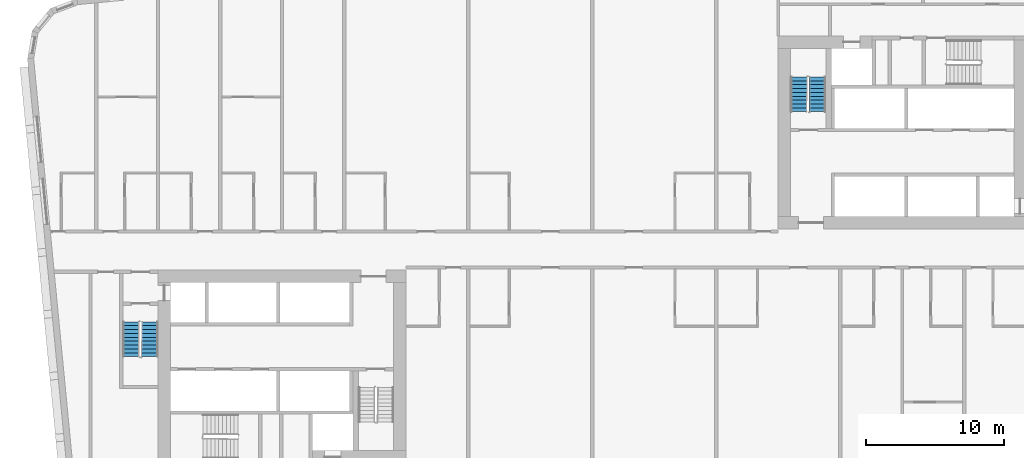
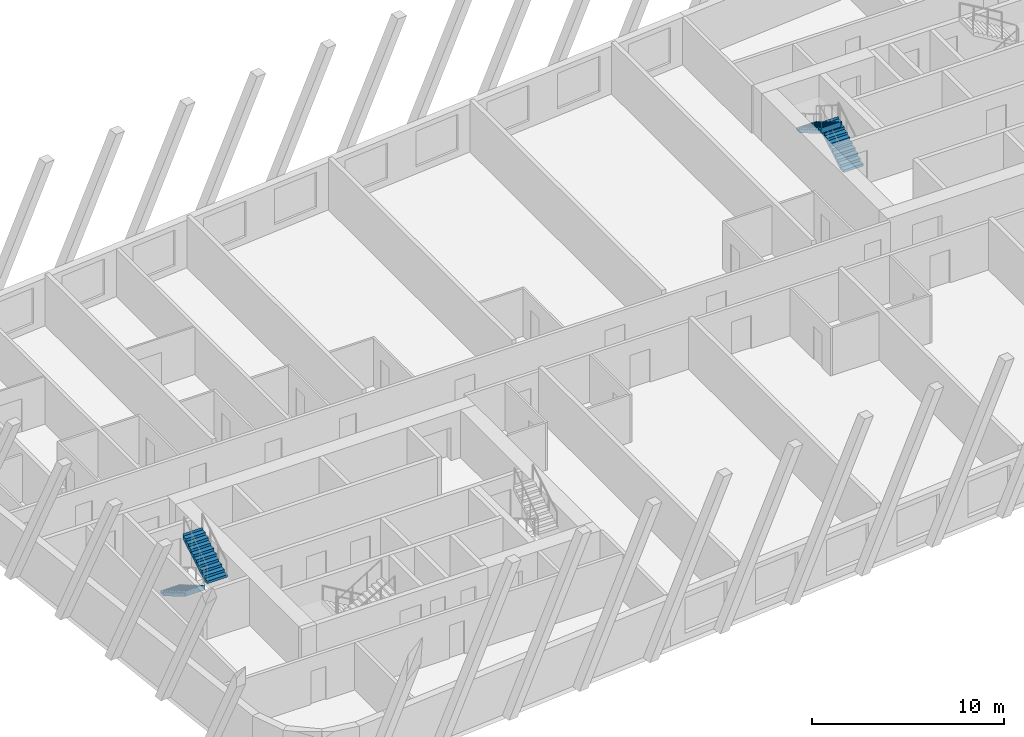
# One storey, part 10 of 13: 4 stair flights, 2 elements without a shape of their own.
"""IFC4 building model written with IfcOpenShell, lengths in metres."""

import ifcopenshell
import ifcopenshell.guid

model = None  # the IFC model being written
_history = None  # IfcOwnerHistory: only IFC2X3 demands one
_inside = {}  # id of a spatial element -> (the spatial element, [elements in it])
_under = {}  # id of a project, library or spatial element -> (it, [spatial elements below it])
_declared = {}  # id of a project -> (the project, [libraries it declares])
_typed = {}  # id of a type object -> (the type object, [elements of that type])
_made_of = {}  # id of a material, layer set ... -> (it, [elements and type objects made of it])


def new_model(schema):
    """Start an empty IFC model of exactly this schema.

    Asked for "IFC4X3", IfcOpenShell would pick the latest addendum, in which some entities
    have other attributes; the version numbers below select the first issue.
    IFC2X3 requires an IfcOwnerHistory on every rooted entity: one is made here for all.
    """
    global model, _history
    if schema == "IFC4X3":
        model = ifcopenshell.file(schema_version=(4, 3, 0, 0))
    else:
        model = ifcopenshell.file(schema=schema)
    _inside.clear()
    _under.clear()
    _declared.clear()
    _typed.clear()
    _made_of.clear()
    _history = None
    if model.schema == "IFC2X3":
        org = make("IfcOrganization", Name="unknown")
        user = make(
            "IfcPersonAndOrganization",
            ThePerson=make("IfcPerson", FamilyName="unknown"),
            TheOrganization=org,
        )
        app = make(
            "IfcApplication",
            ApplicationDeveloper=org,
            Version="unknown",
            ApplicationFullName="unknown",
            ApplicationIdentifier="unknown",
        )
        _history = make(
            "IfcOwnerHistory",
            OwningUser=user,
            OwningApplication=app,
            ChangeAction="ADDED",
            CreationDate=0,
        )
    return model


def make(cls, **values):
    """One entity of the class cls with the attributes given. An attribute that is None is left unset."""
    return model.create_entity(
        cls, **{name: value for name, value in values.items() if value is not None}
    )


def rooted(cls, **values):
    """An entity with a GlobalId (a new one), such as an element, a storey or a relation."""
    return make(cls, GlobalId=ifcopenshell.guid.new(), OwnerHistory=_history, **values)


def si_unit(unit_type, name, prefix=None):
    """IfcSIUnit, for example si_unit("LENGTHUNIT", "METRE", prefix="MILLI")."""
    return make("IfcSIUnit", UnitType=unit_type, Prefix=prefix, Name=name)


def assignment(units):
    """IfcUnitAssignment: the units of a project."""
    return None if units is None else make("IfcUnitAssignment", Units=units)


def point(xyz):
    """IfcCartesianPoint."""
    return None if xyz is None else make("IfcCartesianPoint", Coordinates=xyz)


def direction(xyz):
    """IfcDirection."""
    return None if xyz is None else make("IfcDirection", DirectionRatios=xyz)


def frame(location, z_axis=None, x_axis=None):
    """IfcAxis2Placement3D, a coordinate frame: its origin and axes. An axis left out is left unset."""
    return make(
        "IfcAxis2Placement3D",
        Location=point(location),
        Axis=direction(z_axis),
        RefDirection=direction(x_axis),
    )


def origin():
    """The frame at (0, 0, 0) with its axes left unset."""
    return frame((0.0, 0.0, 0.0))


def place(relative_to, where):
    """IfcLocalPlacement: puts the frame where relative to a parent placement (None: the world)."""
    return make(
        "IfcLocalPlacement", PlacementRelTo=relative_to, RelativePlacement=where
    )


def context(
    kind, dimensions, precision=None, world=None, true_north=None, identifier=None
):
    """IfcGeometricRepresentationContext, for example the 3D "Model" context."""
    return make(
        "IfcGeometricRepresentationContext",
        ContextIdentifier=identifier,
        ContextType=kind,
        CoordinateSpaceDimension=dimensions,
        Precision=precision,
        WorldCoordinateSystem=world,
        TrueNorth=true_north,
    )


def subcontext(parent, identifier, kind, view, scale=None):
    """IfcGeometricRepresentationSubContext, for example "Body" below "Model"."""
    return make(
        "IfcGeometricRepresentationSubContext",
        ContextIdentifier=identifier,
        ContextType=kind,
        ParentContext=parent,
        TargetScale=scale,
        TargetView=view,
    )


def project(units=None, contexts=None):
    """IfcProject with its units and contexts."""
    return rooted(
        "IfcProject",
        Name="project",
        RepresentationContexts=contexts,
        UnitsInContext=assignment(units),
    )


def spatial(cls, under=None, at=None, **own):
    """A site, building, storey or space (cls), placed at a placement, below another one or the project."""
    s = rooted(cls, ObjectPlacement=at, **own)
    if under is not None:
        _under.setdefault(under.id(), (under, []))[1].append(s)
    return s


def faces_of(points, faces, orient=None, outer=None):
    """IfcFace entities. A face is a list of loops; a loop is a list of indices into points, from 0.

    orient and outer hold one flag for each loop. By default every Orientation is true, the
    first loop of a face is its IfcFaceOuterBound and the others are IfcFaceBound.
    """
    made = []
    for i, loops in enumerate(faces):
        bounds = []
        for j, loop in enumerate(loops):
            is_outer = j == 0 if outer is None else outer[i][j]
            bounds.append(
                make(
                    "IfcFaceOuterBound" if is_outer else "IfcFaceBound",
                    Bound=make("IfcPolyLoop", Polygon=[points[k] for k in loop]),
                    Orientation=True if orient is None else orient[i][j],
                )
            )
        made.append(make("IfcFace", Bounds=bounds))
    return made


def faceted_brep(points, faces, orient=None, outer=None, voids=None):
    """IfcFacetedBrep: a solid bounded by flat faces; with voids (closed shells), ...WithVoids."""
    shared = [point(p) for p in points]
    hull = make("IfcClosedShell", CfsFaces=faces_of(shared, faces, orient, outer))
    if voids is None:
        return make("IfcFacetedBrep", Outer=hull)
    return make(
        "IfcFacetedBrepWithVoids",
        Outer=hull,
        Voids=[
            make(cls, CfsFaces=faces_of(shared, fs, o, b)) for cls, fs, o, b in voids
        ],
    )


def shape(context_of_items, identifier, shape_type, items):
    """IfcShapeRepresentation: the items that make up one representation, for example the "Body"."""
    return make(
        "IfcShapeRepresentation",
        ContextOfItems=context_of_items,
        RepresentationIdentifier=identifier,
        RepresentationType=shape_type,
        Items=items,
    )


def material(Name=None, Category=None):
    """IfcMaterial."""
    return make("IfcMaterial", Name=Name, Category=Category)


def made_of(thing, what):
    """Note that an element or type object is made of a material, layer set ...; save() writes the relation."""
    if what is not None:
        _made_of.setdefault(what.id(), (what, []))[1].append(thing)
    return thing


def type_object(cls, material=None, **own):
    """A type object (cls), such as IfcWallType, which elements share."""
    return made_of(rooted(cls, **own), material)


def element(
    cls,
    number,
    at=None,
    inside=None,
    cuts=None,
    type_object=None,
    material=None,
    context=None,
    identifier="Body",
    shape_type=None,
    held_by="IfcProductDefinitionShape",
    body=None,
    shapes=None,
    **own,
):
    """One element of the class cls, such as IfcWall. Its Tag is "e" and its number.

    at: its placement. inside: the storey or other place that contains it. cuts: it is an
    opening in that element (IfcRelVoidsElement). A single representation is given by context,
    identifier, shape_type and body (its items); several are given by shapes. held_by: the class
    of the entity that holds the representations. save() writes the other relations.
    """
    e = rooted(cls, Tag="e%d" % number, ObjectPlacement=at, **own)
    if body is not None:
        shapes = [shape(context, identifier, shape_type, body)]
    if shapes is not None:
        e.Representation = make(held_by, Representations=shapes)
    if inside is not None:
        _inside.setdefault(inside.id(), (inside, []))[1].append(e)
    if cuts is not None:
        rooted(
            "IfcRelVoidsElement", RelatingBuildingElement=cuts, RelatedOpeningElement=e
        )
    if type_object is not None:
        _typed.setdefault(type_object.id(), (type_object, []))[1].append(e)
    return made_of(e, material)


def aggregate(whole, parts):
    """IfcRelAggregates: a whole, such as a stair, and the parts it consists of."""
    return rooted("IfcRelAggregates", RelatingObject=whole, RelatedObjects=parts)


def save(model, path):
    """Write the relations noted so far, then the file.

    IfcRelAggregates (storeys below a building ...), IfcRelContainedInSpatialStructure (elements
    in a storey), IfcRelDefinesByType, IfcRelAssociatesMaterial and IfcRelDeclares: one each for
    every whole, place, type object, material and project.
    """
    for whole, parts in _under.values():
        aggregate(whole, parts)
    for where, things in _inside.values():
        rooted(
            "IfcRelContainedInSpatialStructure",
            RelatedElements=things,
            RelatingStructure=where,
        )
    for kind, things in _typed.values():
        rooted("IfcRelDefinesByType", RelatedObjects=things, RelatingType=kind)
    for what, things in _made_of.values():
        rooted("IfcRelAssociatesMaterial", RelatedObjects=things, RelatingMaterial=what)
    for by, libraries in _declared.values():
        rooted("IfcRelDeclares", RelatingContext=by, RelatedDefinitions=libraries)
    model.write(path)


model = new_model("IFC4")

# Units and contexts
model_context = context("Model", 3, precision=1e-05, world=origin(), true_north=direction((0.0, 1.0)))
body_context = subcontext(model_context, "Body", "Model", "MODEL_VIEW")
ifc_project = project(units=[si_unit("LENGTHUNIT", "METRE"), si_unit("AREAUNIT", "SQUARE_METRE"), si_unit("VOLUMEUNIT", "CUBIC_METRE"), si_unit("PLANEANGLEUNIT", "RADIAN"), si_unit("MASSUNIT", "GRAM", prefix="KILO")], contexts=[model_context])

# Site, building, storey
site_placement = place(None, origin())
site = spatial("IfcSite", under=ifc_project, at=site_placement, CompositionType="ELEMENT")
building_placement = place(site_placement, origin())
building = spatial("IfcBuilding", under=site, at=building_placement, Name="Kajstack Hotel Tower", CompositionType="ELEMENT")
storey_placement = place(building_placement, frame((0.0, 0.0, 120.699951171875)))
storey = spatial("IfcBuildingStorey", under=building, at=storey_placement, Name="L26", CompositionType="ELEMENT", Elevation=120.699951171875)

# Stair, stair flights
ifc_material = material(Name="Concrete C40/50", Category="concrete")
stair_type = type_object("IfcStairType", Name="Exit stair 1200", PredefinedType="HALF_TURN_STAIR", material=ifc_material)
stair_1_placement = place(storey_placement, origin())
stair_1 = element("IfcStair", 1, at=stair_1_placement, inside=storey, type_object=stair_type, Name="L26 stair W1", PredefinedType="HALF_TURN_STAIR")
stair_flight_type = type_object("IfcStairFlightType", Name="Exit stair flight 1200", PredefinedType="STRAIGHT", material=ifc_material)
stair_flight_1_placement = place(storey_placement, frame((-33.449951171875, -5.25, 0.0), z_axis=(0.0, 0.0, 1.0), x_axis=(0.0, -1.0, 0.0)))
stair_flight_1 = element("IfcStairFlight", 2, at=stair_flight_1_placement, type_object=stair_flight_type, Name="W1 flight 1", NumberOfRisers=10, NumberOfTreads=9, PredefinedType="STRAIGHT", RiserHeight=0.165, TreadLength=0.28, context=body_context, shape_type="Brep", body=[
    faceted_brep([(0.295654296875, -0.60009765625, 0.0), (2.5205078125, -0.60009765625, 1.31103515625), (2.5205078125, -0.60009765625, 1.64990234375), (2.52001953125, -0.60009765625, 1.64990234375), (2.52001953125, -0.60009765625, 1.485107421875), (2.239990234375, -0.60009765625, 1.485107421875), (2.239990234375, -0.60009765625, 1.320068359375), (1.9599609375, -0.60009765625, 1.320068359375), (1.9599609375, -0.60009765625, 1.155029296875), (1.679931640625, -0.60009765625, 1.155029296875), (1.679931640625, -0.60009765625, 0.989990234375), (1.39990234375, -0.60009765625, 0.989990234375), (1.39990234375, -0.60009765625, 0.824951171875), (1.1201171875, -0.60009765625, 0.824951171875), (1.1201171875, -0.60009765625, 0.659912109375), (0.840087890625, -0.60009765625, 0.659912109375), (0.840087890625, -0.60009765625, 0.4951171875), (0.56005859375, -0.60009765625, 0.4951171875), (0.56005859375, -0.60009765625, 0.330078125), (0.280029296875, -0.60009765625, 0.330078125), (0.280029296875, -0.60009765625, 0.1650390625), (-0.00048828125, -0.60009765625, 0.1650390625), (-0.00048828125, -0.60009765625, 0.0), (-0.00048828125, 0.60009765625, 0.0), (-0.00048828125, 0.60009765625, 0.1650390625), (0.280029296875, 0.60009765625, 0.1650390625), (0.280029296875, 0.60009765625, 0.330078125), (0.56005859375, 0.60009765625, 0.330078125), (0.56005859375, 0.60009765625, 0.4951171875), (0.840087890625, 0.60009765625, 0.4951171875), (0.840087890625, 0.60009765625, 0.659912109375), (1.1201171875, 0.60009765625, 0.659912109375), (1.1201171875, 0.60009765625, 0.824951171875), (1.39990234375, 0.60009765625, 0.824951171875), (1.39990234375, 0.60009765625, 0.989990234375), (1.679931640625, 0.60009765625, 0.989990234375), (1.679931640625, 0.60009765625, 1.155029296875), (1.9599609375, 0.60009765625, 1.155029296875), (1.9599609375, 0.60009765625, 1.320068359375), (2.239990234375, 0.60009765625, 1.320068359375), (2.239990234375, 0.60009765625, 1.485107421875), (2.52001953125, 0.60009765625, 1.485107421875), (2.52001953125, 0.60009765625, 1.64990234375), (2.5205078125, 0.60009765625, 1.64990234375), (2.5205078125, 0.60009765625, 1.31103515625), (0.295654296875, 0.60009765625, 0.0), (-0.00048828125, -0.300048828125, 0.1650390625), (-0.00048828125, 0.0, 0.1650390625), (-0.00048828125, 0.300048828125, 0.1650390625), (-0.00048828125, 0.300048828125, 0.0), (-0.00048828125, 0.0, 0.0), (-0.00048828125, -0.300048828125, 0.0), (0.280029296875, -0.300048828125, 0.1650390625), (0.280029296875, 0.0, 0.1650390625), (0.280029296875, 0.300048828125, 0.1650390625), (0.280029296875, -0.300048828125, 0.330078125), (0.280029296875, 0.0, 0.330078125), (0.280029296875, 0.300048828125, 0.330078125), (0.56005859375, -0.300048828125, 0.330078125), (0.56005859375, 0.0, 0.330078125), (0.56005859375, 0.300048828125, 0.330078125), (0.56005859375, -0.300048828125, 0.4951171875), (0.56005859375, 0.0, 0.4951171875), (0.56005859375, 0.300048828125, 0.4951171875), (0.840087890625, -0.300048828125, 0.4951171875), (0.840087890625, 0.0, 0.4951171875), (0.840087890625, 0.300048828125, 0.4951171875), (0.840087890625, -0.300048828125, 0.659912109375), (0.840087890625, 0.0, 0.659912109375), (0.840087890625, 0.300048828125, 0.659912109375), (1.1201171875, -0.300048828125, 0.659912109375), (1.1201171875, 0.0, 0.659912109375), (1.1201171875, 0.300048828125, 0.659912109375), (1.1201171875, -0.300048828125, 0.824951171875), (1.1201171875, 0.0, 0.824951171875), (1.1201171875, 0.300048828125, 0.824951171875), (1.39990234375, -0.300048828125, 0.824951171875), (1.39990234375, 0.0, 0.824951171875), (1.39990234375, 0.300048828125, 0.824951171875), (1.39990234375, -0.300048828125, 0.989990234375), (1.39990234375, 0.0, 0.989990234375), (1.39990234375, 0.300048828125, 0.989990234375), (1.679931640625, -0.300048828125, 0.989990234375), (1.679931640625, 0.0, 0.989990234375), (1.679931640625, 0.300048828125, 0.989990234375), (1.679931640625, -0.300048828125, 1.155029296875), (1.679931640625, 0.0, 1.155029296875), (1.679931640625, 0.300048828125, 1.155029296875), (1.9599609375, -0.300048828125, 1.155029296875), (1.9599609375, 0.0, 1.155029296875), (1.9599609375, 0.300048828125, 1.155029296875), (1.9599609375, -0.300048828125, 1.320068359375), (1.9599609375, 0.0, 1.320068359375), (1.9599609375, 0.300048828125, 1.320068359375), (2.239990234375, -0.300048828125, 1.320068359375), (2.239990234375, 0.0, 1.320068359375), (2.239990234375, 0.300048828125, 1.320068359375), (2.239990234375, -0.300048828125, 1.485107421875), (2.239990234375, 0.0, 1.485107421875), (2.239990234375, 0.300048828125, 1.485107421875), (2.52001953125, -0.300048828125, 1.485107421875), (2.52001953125, 0.0, 1.485107421875), (2.52001953125, 0.300048828125, 1.485107421875), (2.52001953125, -0.300048828125, 1.64990234375), (2.52001953125, 0.0, 1.64990234375), (2.52001953125, 0.300048828125, 1.64990234375), (2.5205078125, -0.300048828125, 1.64990234375), (2.5205078125, 0.0, 1.64990234375), (2.5205078125, 0.300048828125, 1.64990234375), (2.5205078125, -0.300048828125, 1.31103515625), (2.5205078125, 0.0, 1.31103515625), (2.5205078125, 0.300048828125, 1.31103515625), (0.295654296875, -0.300048828125, 0.0), (0.295654296875, 0.0, 0.0), (0.295654296875, 0.300048828125, 0.0)], [[[0, 1, 2, 3, 4, 5, 6, 7, 8, 9, 10, 11, 12, 13, 14, 15, 16, 17, 18, 19, 20, 21, 22]], [[23, 24, 25, 26, 27, 28, 29, 30, 31, 32, 33, 34, 35, 36, 37, 38, 39, 40, 41, 42, 43, 44, 45]], [[21, 46, 47, 48, 24, 23, 49, 50, 51, 22]], [[20, 52, 53, 54, 25, 24, 48, 47, 46, 21]], [[19, 55, 56, 57, 26, 25, 54, 53, 52, 20]], [[18, 58, 59, 60, 27, 26, 57, 56, 55, 19]], [[17, 61, 62, 63, 28, 27, 60, 59, 58, 18]], [[16, 64, 65, 66, 29, 28, 63, 62, 61, 17]], [[15, 67, 68, 69, 30, 29, 66, 65, 64, 16]], [[14, 70, 71, 72, 31, 30, 69, 68, 67, 15]], [[13, 73, 74, 75, 32, 31, 72, 71, 70, 14]], [[12, 76, 77, 78, 33, 32, 75, 74, 73, 13]], [[11, 79, 80, 81, 34, 33, 78, 77, 76, 12]], [[10, 82, 83, 84, 35, 34, 81, 80, 79, 11]], [[9, 85, 86, 87, 36, 35, 84, 83, 82, 10]], [[8, 88, 89, 90, 37, 36, 87, 86, 85, 9]], [[7, 91, 92, 93, 38, 37, 90, 89, 88, 8]], [[6, 94, 95, 96, 39, 38, 93, 92, 91, 7]], [[5, 97, 98, 99, 40, 39, 96, 95, 94, 6]], [[4, 100, 101, 102, 41, 40, 99, 98, 97, 5]], [[3, 103, 104, 105, 42, 41, 102, 101, 100, 4]], [[2, 106, 107, 108, 43, 42, 105, 104, 103, 3]], [[1, 109, 110, 111, 44, 43, 108, 107, 106, 2]], [[0, 112, 113, 114, 45, 44, 111, 110, 109, 1]], [[22, 51, 50, 49, 23, 45, 114, 113, 112, 0]]]),
])
stair_flight_2_placement = place(storey_placement, frame((-32.10009765625, -7.77001953125, 1.650146484375), z_axis=(0.0, 0.0, 1.0), x_axis=(0.0, 1.0, 0.0)))
stair_flight_2 = element("IfcStairFlight", 3, at=stair_flight_2_placement, type_object=stair_flight_type, Name="W1 flight 2", NumberOfRisers=10, NumberOfTreads=9, PredefinedType="STRAIGHT", RiserHeight=0.165, TreadLength=0.28, context=body_context, shape_type="Brep", body=[
    faceted_brep([(0.295654296875, -0.60009765625, 0.0), (2.5205078125, -0.60009765625, 1.31103515625), (2.5205078125, -0.60009765625, 1.64990234375), (2.52001953125, -0.60009765625, 1.64990234375), (2.52001953125, -0.60009765625, 1.485107421875), (2.239990234375, -0.60009765625, 1.485107421875), (2.239990234375, -0.60009765625, 1.320068359375), (1.9599609375, -0.60009765625, 1.320068359375), (1.9599609375, -0.60009765625, 1.155029296875), (1.679931640625, -0.60009765625, 1.155029296875), (1.679931640625, -0.60009765625, 0.989990234375), (1.39990234375, -0.60009765625, 0.989990234375), (1.39990234375, -0.60009765625, 0.824951171875), (1.1201171875, -0.60009765625, 0.824951171875), (1.1201171875, -0.60009765625, 0.659912109375), (0.840087890625, -0.60009765625, 0.659912109375), (0.840087890625, -0.60009765625, 0.4951171875), (0.56005859375, -0.60009765625, 0.4951171875), (0.56005859375, -0.60009765625, 0.330078125), (0.280029296875, -0.60009765625, 0.330078125), (0.280029296875, -0.60009765625, 0.1650390625), (-0.00048828125, -0.60009765625, 0.1650390625), (-0.00048828125, -0.60009765625, 0.0), (-0.00048828125, 0.60009765625, 0.0), (-0.00048828125, 0.60009765625, 0.1650390625), (0.280029296875, 0.60009765625, 0.1650390625), (0.280029296875, 0.60009765625, 0.330078125), (0.56005859375, 0.60009765625, 0.330078125), (0.56005859375, 0.60009765625, 0.4951171875), (0.840087890625, 0.60009765625, 0.4951171875), (0.840087890625, 0.60009765625, 0.659912109375), (1.1201171875, 0.60009765625, 0.659912109375), (1.1201171875, 0.60009765625, 0.824951171875), (1.39990234375, 0.60009765625, 0.824951171875), (1.39990234375, 0.60009765625, 0.989990234375), (1.679931640625, 0.60009765625, 0.989990234375), (1.679931640625, 0.60009765625, 1.155029296875), (1.9599609375, 0.60009765625, 1.155029296875), (1.9599609375, 0.60009765625, 1.320068359375), (2.239990234375, 0.60009765625, 1.320068359375), (2.239990234375, 0.60009765625, 1.485107421875), (2.52001953125, 0.60009765625, 1.485107421875), (2.52001953125, 0.60009765625, 1.64990234375), (2.5205078125, 0.60009765625, 1.64990234375), (2.5205078125, 0.60009765625, 1.31103515625), (0.295654296875, 0.60009765625, 0.0), (-0.00048828125, -0.300048828125, 0.1650390625), (-0.00048828125, 0.0, 0.1650390625), (-0.00048828125, 0.300048828125, 0.1650390625), (-0.00048828125, 0.300048828125, 0.0), (-0.00048828125, 0.0, 0.0), (-0.00048828125, -0.300048828125, 0.0), (0.280029296875, -0.300048828125, 0.1650390625), (0.280029296875, 0.0, 0.1650390625), (0.280029296875, 0.300048828125, 0.1650390625), (0.280029296875, -0.300048828125, 0.330078125), (0.280029296875, 0.0, 0.330078125), (0.280029296875, 0.300048828125, 0.330078125), (0.56005859375, -0.300048828125, 0.330078125), (0.56005859375, 0.0, 0.330078125), (0.56005859375, 0.300048828125, 0.330078125), (0.56005859375, -0.300048828125, 0.4951171875), (0.56005859375, 0.0, 0.4951171875), (0.56005859375, 0.300048828125, 0.4951171875), (0.840087890625, -0.300048828125, 0.4951171875), (0.840087890625, 0.0, 0.4951171875), (0.840087890625, 0.300048828125, 0.4951171875), (0.840087890625, -0.300048828125, 0.659912109375), (0.840087890625, 0.0, 0.659912109375), (0.840087890625, 0.300048828125, 0.659912109375), (1.1201171875, -0.300048828125, 0.659912109375), (1.1201171875, 0.0, 0.659912109375), (1.1201171875, 0.300048828125, 0.659912109375), (1.1201171875, -0.300048828125, 0.824951171875), (1.1201171875, 0.0, 0.824951171875), (1.1201171875, 0.300048828125, 0.824951171875), (1.39990234375, -0.300048828125, 0.824951171875), (1.39990234375, 0.0, 0.824951171875), (1.39990234375, 0.300048828125, 0.824951171875), (1.39990234375, -0.300048828125, 0.989990234375), (1.39990234375, 0.0, 0.989990234375), (1.39990234375, 0.300048828125, 0.989990234375), (1.679931640625, -0.300048828125, 0.989990234375), (1.679931640625, 0.0, 0.989990234375), (1.679931640625, 0.300048828125, 0.989990234375), (1.679931640625, -0.300048828125, 1.155029296875), (1.679931640625, 0.0, 1.155029296875), (1.679931640625, 0.300048828125, 1.155029296875), (1.9599609375, -0.300048828125, 1.155029296875), (1.9599609375, 0.0, 1.155029296875), (1.9599609375, 0.300048828125, 1.155029296875), (1.9599609375, -0.300048828125, 1.320068359375), (1.9599609375, 0.0, 1.320068359375), (1.9599609375, 0.300048828125, 1.320068359375), (2.239990234375, -0.300048828125, 1.320068359375), (2.239990234375, 0.0, 1.320068359375), (2.239990234375, 0.300048828125, 1.320068359375), (2.239990234375, -0.300048828125, 1.485107421875), (2.239990234375, 0.0, 1.485107421875), (2.239990234375, 0.300048828125, 1.485107421875), (2.52001953125, -0.300048828125, 1.485107421875), (2.52001953125, 0.0, 1.485107421875), (2.52001953125, 0.300048828125, 1.485107421875), (2.52001953125, -0.300048828125, 1.64990234375), (2.52001953125, 0.0, 1.64990234375), (2.52001953125, 0.300048828125, 1.64990234375), (2.5205078125, -0.300048828125, 1.64990234375), (2.5205078125, 0.0, 1.64990234375), (2.5205078125, 0.300048828125, 1.64990234375), (2.5205078125, -0.300048828125, 1.31103515625), (2.5205078125, 0.0, 1.31103515625), (2.5205078125, 0.300048828125, 1.31103515625), (0.295654296875, -0.300048828125, 0.0), (0.295654296875, 0.0, 0.0), (0.295654296875, 0.300048828125, 0.0)], [[[0, 1, 2, 3, 4, 5, 6, 7, 8, 9, 10, 11, 12, 13, 14, 15, 16, 17, 18, 19, 20, 21, 22]], [[23, 24, 25, 26, 27, 28, 29, 30, 31, 32, 33, 34, 35, 36, 37, 38, 39, 40, 41, 42, 43, 44, 45]], [[21, 46, 47, 48, 24, 23, 49, 50, 51, 22]], [[20, 52, 53, 54, 25, 24, 48, 47, 46, 21]], [[19, 55, 56, 57, 26, 25, 54, 53, 52, 20]], [[18, 58, 59, 60, 27, 26, 57, 56, 55, 19]], [[17, 61, 62, 63, 28, 27, 60, 59, 58, 18]], [[16, 64, 65, 66, 29, 28, 63, 62, 61, 17]], [[15, 67, 68, 69, 30, 29, 66, 65, 64, 16]], [[14, 70, 71, 72, 31, 30, 69, 68, 67, 15]], [[13, 73, 74, 75, 32, 31, 72, 71, 70, 14]], [[12, 76, 77, 78, 33, 32, 75, 74, 73, 13]], [[11, 79, 80, 81, 34, 33, 78, 77, 76, 12]], [[10, 82, 83, 84, 35, 34, 81, 80, 79, 11]], [[9, 85, 86, 87, 36, 35, 84, 83, 82, 10]], [[8, 88, 89, 90, 37, 36, 87, 86, 85, 9]], [[7, 91, 92, 93, 38, 37, 90, 89, 88, 8]], [[6, 94, 95, 96, 39, 38, 93, 92, 91, 7]], [[5, 97, 98, 99, 40, 39, 96, 95, 94, 6]], [[4, 100, 101, 102, 41, 40, 99, 98, 97, 5]], [[3, 103, 104, 105, 42, 41, 102, 101, 100, 4]], [[2, 106, 107, 108, 43, 42, 105, 104, 103, 3]], [[1, 109, 110, 111, 44, 43, 108, 107, 106, 2]], [[0, 112, 113, 114, 45, 44, 111, 110, 109, 1]], [[22, 51, 50, 49, 23, 45, 114, 113, 112, 0]]]),
])
aggregate(stair_1, [stair_flight_1, stair_flight_2])

stair_2_placement = place(storey_placement, origin())
stair_2 = element("IfcStair", 4, at=stair_2_placement, inside=storey, type_object=stair_type, Name="L26 stair E2", PredefinedType="HALF_TURN_STAIR")
stair_flight_3_placement = place(storey_placement, frame((16.35009765625, 10.0, 0.0), z_axis=(0.0, 0.0, 1.0), x_axis=(0.0, 1.0, 0.0)))
stair_flight_3 = element("IfcStairFlight", 5, at=stair_flight_3_placement, type_object=stair_flight_type, Name="E2 flight 1", NumberOfRisers=10, NumberOfTreads=9, PredefinedType="STRAIGHT", RiserHeight=0.165, TreadLength=0.28, context=body_context, shape_type="Brep", body=[
    faceted_brep([(0.295654296875, -0.60009765625, 0.0), (2.5205078125, -0.60009765625, 1.31103515625), (2.5205078125, -0.60009765625, 1.64990234375), (2.52001953125, -0.60009765625, 1.64990234375), (2.52001953125, -0.60009765625, 1.485107421875), (2.239990234375, -0.60009765625, 1.485107421875), (2.239990234375, -0.60009765625, 1.320068359375), (1.9599609375, -0.60009765625, 1.320068359375), (1.9599609375, -0.60009765625, 1.155029296875), (1.679931640625, -0.60009765625, 1.155029296875), (1.679931640625, -0.60009765625, 0.989990234375), (1.39990234375, -0.60009765625, 0.989990234375), (1.39990234375, -0.60009765625, 0.824951171875), (1.1201171875, -0.60009765625, 0.824951171875), (1.1201171875, -0.60009765625, 0.659912109375), (0.840087890625, -0.60009765625, 0.659912109375), (0.840087890625, -0.60009765625, 0.4951171875), (0.56005859375, -0.60009765625, 0.4951171875), (0.56005859375, -0.60009765625, 0.330078125), (0.280029296875, -0.60009765625, 0.330078125), (0.280029296875, -0.60009765625, 0.1650390625), (-0.00048828125, -0.60009765625, 0.1650390625), (-0.00048828125, -0.60009765625, 0.0), (-0.00048828125, 0.60009765625, 0.0), (-0.00048828125, 0.60009765625, 0.1650390625), (0.280029296875, 0.60009765625, 0.1650390625), (0.280029296875, 0.60009765625, 0.330078125), (0.56005859375, 0.60009765625, 0.330078125), (0.56005859375, 0.60009765625, 0.4951171875), (0.840087890625, 0.60009765625, 0.4951171875), (0.840087890625, 0.60009765625, 0.659912109375), (1.1201171875, 0.60009765625, 0.659912109375), (1.1201171875, 0.60009765625, 0.824951171875), (1.39990234375, 0.60009765625, 0.824951171875), (1.39990234375, 0.60009765625, 0.989990234375), (1.679931640625, 0.60009765625, 0.989990234375), (1.679931640625, 0.60009765625, 1.155029296875), (1.9599609375, 0.60009765625, 1.155029296875), (1.9599609375, 0.60009765625, 1.320068359375), (2.239990234375, 0.60009765625, 1.320068359375), (2.239990234375, 0.60009765625, 1.485107421875), (2.52001953125, 0.60009765625, 1.485107421875), (2.52001953125, 0.60009765625, 1.64990234375), (2.5205078125, 0.60009765625, 1.64990234375), (2.5205078125, 0.60009765625, 1.31103515625), (0.295654296875, 0.60009765625, 0.0), (-0.00048828125, -0.300048828125, 0.1650390625), (-0.00048828125, 0.0, 0.1650390625), (-0.00048828125, 0.300048828125, 0.1650390625), (-0.00048828125, 0.300048828125, 0.0), (-0.00048828125, 0.0, 0.0), (-0.00048828125, -0.300048828125, 0.0), (0.280029296875, -0.300048828125, 0.1650390625), (0.280029296875, 0.0, 0.1650390625), (0.280029296875, 0.300048828125, 0.1650390625), (0.280029296875, -0.300048828125, 0.330078125), (0.280029296875, 0.0, 0.330078125), (0.280029296875, 0.300048828125, 0.330078125), (0.56005859375, -0.300048828125, 0.330078125), (0.56005859375, 0.0, 0.330078125), (0.56005859375, 0.300048828125, 0.330078125), (0.56005859375, -0.300048828125, 0.4951171875), (0.56005859375, 0.0, 0.4951171875), (0.56005859375, 0.300048828125, 0.4951171875), (0.840087890625, -0.300048828125, 0.4951171875), (0.840087890625, 0.0, 0.4951171875), (0.840087890625, 0.300048828125, 0.4951171875), (0.840087890625, -0.300048828125, 0.659912109375), (0.840087890625, 0.0, 0.659912109375), (0.840087890625, 0.300048828125, 0.659912109375), (1.1201171875, -0.300048828125, 0.659912109375), (1.1201171875, 0.0, 0.659912109375), (1.1201171875, 0.300048828125, 0.659912109375), (1.1201171875, -0.300048828125, 0.824951171875), (1.1201171875, 0.0, 0.824951171875), (1.1201171875, 0.300048828125, 0.824951171875), (1.39990234375, -0.300048828125, 0.824951171875), (1.39990234375, 0.0, 0.824951171875), (1.39990234375, 0.300048828125, 0.824951171875), (1.39990234375, -0.300048828125, 0.989990234375), (1.39990234375, 0.0, 0.989990234375), (1.39990234375, 0.300048828125, 0.989990234375), (1.679931640625, -0.300048828125, 0.989990234375), (1.679931640625, 0.0, 0.989990234375), (1.679931640625, 0.300048828125, 0.989990234375), (1.679931640625, -0.300048828125, 1.155029296875), (1.679931640625, 0.0, 1.155029296875), (1.679931640625, 0.300048828125, 1.155029296875), (1.9599609375, -0.300048828125, 1.155029296875), (1.9599609375, 0.0, 1.155029296875), (1.9599609375, 0.300048828125, 1.155029296875), (1.9599609375, -0.300048828125, 1.320068359375), (1.9599609375, 0.0, 1.320068359375), (1.9599609375, 0.300048828125, 1.320068359375), (2.239990234375, -0.300048828125, 1.320068359375), (2.239990234375, 0.0, 1.320068359375), (2.239990234375, 0.300048828125, 1.320068359375), (2.239990234375, -0.300048828125, 1.485107421875), (2.239990234375, 0.0, 1.485107421875), (2.239990234375, 0.300048828125, 1.485107421875), (2.52001953125, -0.300048828125, 1.485107421875), (2.52001953125, 0.0, 1.485107421875), (2.52001953125, 0.300048828125, 1.485107421875), (2.52001953125, -0.300048828125, 1.64990234375), (2.52001953125, 0.0, 1.64990234375), (2.52001953125, 0.300048828125, 1.64990234375), (2.5205078125, -0.300048828125, 1.64990234375), (2.5205078125, 0.0, 1.64990234375), (2.5205078125, 0.300048828125, 1.64990234375), (2.5205078125, -0.300048828125, 1.31103515625), (2.5205078125, 0.0, 1.31103515625), (2.5205078125, 0.300048828125, 1.31103515625), (0.295654296875, -0.300048828125, 0.0), (0.295654296875, 0.0, 0.0), (0.295654296875, 0.300048828125, 0.0)], [[[0, 1, 2, 3, 4, 5, 6, 7, 8, 9, 10, 11, 12, 13, 14, 15, 16, 17, 18, 19, 20, 21, 22]], [[23, 24, 25, 26, 27, 28, 29, 30, 31, 32, 33, 34, 35, 36, 37, 38, 39, 40, 41, 42, 43, 44, 45]], [[21, 46, 47, 48, 24, 23, 49, 50, 51, 22]], [[20, 52, 53, 54, 25, 24, 48, 47, 46, 21]], [[19, 55, 56, 57, 26, 25, 54, 53, 52, 20]], [[18, 58, 59, 60, 27, 26, 57, 56, 55, 19]], [[17, 61, 62, 63, 28, 27, 60, 59, 58, 18]], [[16, 64, 65, 66, 29, 28, 63, 62, 61, 17]], [[15, 67, 68, 69, 30, 29, 66, 65, 64, 16]], [[14, 70, 71, 72, 31, 30, 69, 68, 67, 15]], [[13, 73, 74, 75, 32, 31, 72, 71, 70, 14]], [[12, 76, 77, 78, 33, 32, 75, 74, 73, 13]], [[11, 79, 80, 81, 34, 33, 78, 77, 76, 12]], [[10, 82, 83, 84, 35, 34, 81, 80, 79, 11]], [[9, 85, 86, 87, 36, 35, 84, 83, 82, 10]], [[8, 88, 89, 90, 37, 36, 87, 86, 85, 9]], [[7, 91, 92, 93, 38, 37, 90, 89, 88, 8]], [[6, 94, 95, 96, 39, 38, 93, 92, 91, 7]], [[5, 97, 98, 99, 40, 39, 96, 95, 94, 6]], [[4, 100, 101, 102, 41, 40, 99, 98, 97, 5]], [[3, 103, 104, 105, 42, 41, 102, 101, 100, 4]], [[2, 106, 107, 108, 43, 42, 105, 104, 103, 3]], [[1, 109, 110, 111, 44, 43, 108, 107, 106, 2]], [[0, 112, 113, 114, 45, 44, 111, 110, 109, 1]], [[22, 51, 50, 49, 23, 45, 114, 113, 112, 0]]]),
])
stair_flight_4_placement = place(storey_placement, frame((15.0, 12.52001953125, 1.650146484375), z_axis=(0.0, 0.0, 1.0), x_axis=(0.0, -1.0, 0.0)))
stair_flight_4 = element("IfcStairFlight", 6, at=stair_flight_4_placement, type_object=stair_flight_type, Name="E2 flight 2", NumberOfRisers=10, NumberOfTreads=9, PredefinedType="STRAIGHT", RiserHeight=0.165, TreadLength=0.28, context=body_context, shape_type="Brep", body=[
    faceted_brep([(0.295654296875, -0.60009765625, 0.0), (2.5205078125, -0.60009765625, 1.31103515625), (2.5205078125, -0.60009765625, 1.64990234375), (2.52001953125, -0.60009765625, 1.64990234375), (2.52001953125, -0.60009765625, 1.485107421875), (2.239990234375, -0.60009765625, 1.485107421875), (2.239990234375, -0.60009765625, 1.320068359375), (1.9599609375, -0.60009765625, 1.320068359375), (1.9599609375, -0.60009765625, 1.155029296875), (1.679931640625, -0.60009765625, 1.155029296875), (1.679931640625, -0.60009765625, 0.989990234375), (1.39990234375, -0.60009765625, 0.989990234375), (1.39990234375, -0.60009765625, 0.824951171875), (1.1201171875, -0.60009765625, 0.824951171875), (1.1201171875, -0.60009765625, 0.659912109375), (0.840087890625, -0.60009765625, 0.659912109375), (0.840087890625, -0.60009765625, 0.4951171875), (0.56005859375, -0.60009765625, 0.4951171875), (0.56005859375, -0.60009765625, 0.330078125), (0.280029296875, -0.60009765625, 0.330078125), (0.280029296875, -0.60009765625, 0.1650390625), (-0.00048828125, -0.60009765625, 0.1650390625), (-0.00048828125, -0.60009765625, 0.0), (-0.00048828125, 0.60009765625, 0.0), (-0.00048828125, 0.60009765625, 0.1650390625), (0.280029296875, 0.60009765625, 0.1650390625), (0.280029296875, 0.60009765625, 0.330078125), (0.56005859375, 0.60009765625, 0.330078125), (0.56005859375, 0.60009765625, 0.4951171875), (0.840087890625, 0.60009765625, 0.4951171875), (0.840087890625, 0.60009765625, 0.659912109375), (1.1201171875, 0.60009765625, 0.659912109375), (1.1201171875, 0.60009765625, 0.824951171875), (1.39990234375, 0.60009765625, 0.824951171875), (1.39990234375, 0.60009765625, 0.989990234375), (1.679931640625, 0.60009765625, 0.989990234375), (1.679931640625, 0.60009765625, 1.155029296875), (1.9599609375, 0.60009765625, 1.155029296875), (1.9599609375, 0.60009765625, 1.320068359375), (2.239990234375, 0.60009765625, 1.320068359375), (2.239990234375, 0.60009765625, 1.485107421875), (2.52001953125, 0.60009765625, 1.485107421875), (2.52001953125, 0.60009765625, 1.64990234375), (2.5205078125, 0.60009765625, 1.64990234375), (2.5205078125, 0.60009765625, 1.31103515625), (0.295654296875, 0.60009765625, 0.0), (-0.00048828125, -0.300048828125, 0.1650390625), (-0.00048828125, 0.0, 0.1650390625), (-0.00048828125, 0.300048828125, 0.1650390625), (-0.00048828125, 0.300048828125, 0.0), (-0.00048828125, 0.0, 0.0), (-0.00048828125, -0.300048828125, 0.0), (0.280029296875, -0.300048828125, 0.1650390625), (0.280029296875, 0.0, 0.1650390625), (0.280029296875, 0.300048828125, 0.1650390625), (0.280029296875, -0.300048828125, 0.330078125), (0.280029296875, 0.0, 0.330078125), (0.280029296875, 0.300048828125, 0.330078125), (0.56005859375, -0.300048828125, 0.330078125), (0.56005859375, 0.0, 0.330078125), (0.56005859375, 0.300048828125, 0.330078125), (0.56005859375, -0.300048828125, 0.4951171875), (0.56005859375, 0.0, 0.4951171875), (0.56005859375, 0.300048828125, 0.4951171875), (0.840087890625, -0.300048828125, 0.4951171875), (0.840087890625, 0.0, 0.4951171875), (0.840087890625, 0.300048828125, 0.4951171875), (0.840087890625, -0.300048828125, 0.659912109375), (0.840087890625, 0.0, 0.659912109375), (0.840087890625, 0.300048828125, 0.659912109375), (1.1201171875, -0.300048828125, 0.659912109375), (1.1201171875, 0.0, 0.659912109375), (1.1201171875, 0.300048828125, 0.659912109375), (1.1201171875, -0.300048828125, 0.824951171875), (1.1201171875, 0.0, 0.824951171875), (1.1201171875, 0.300048828125, 0.824951171875), (1.39990234375, -0.300048828125, 0.824951171875), (1.39990234375, 0.0, 0.824951171875), (1.39990234375, 0.300048828125, 0.824951171875), (1.39990234375, -0.300048828125, 0.989990234375), (1.39990234375, 0.0, 0.989990234375), (1.39990234375, 0.300048828125, 0.989990234375), (1.679931640625, -0.300048828125, 0.989990234375), (1.679931640625, 0.0, 0.989990234375), (1.679931640625, 0.300048828125, 0.989990234375), (1.679931640625, -0.300048828125, 1.155029296875), (1.679931640625, 0.0, 1.155029296875), (1.679931640625, 0.300048828125, 1.155029296875), (1.9599609375, -0.300048828125, 1.155029296875), (1.9599609375, 0.0, 1.155029296875), (1.9599609375, 0.300048828125, 1.155029296875), (1.9599609375, -0.300048828125, 1.320068359375), (1.9599609375, 0.0, 1.320068359375), (1.9599609375, 0.300048828125, 1.320068359375), (2.239990234375, -0.300048828125, 1.320068359375), (2.239990234375, 0.0, 1.320068359375), (2.239990234375, 0.300048828125, 1.320068359375), (2.239990234375, -0.300048828125, 1.485107421875), (2.239990234375, 0.0, 1.485107421875), (2.239990234375, 0.300048828125, 1.485107421875), (2.52001953125, -0.300048828125, 1.485107421875), (2.52001953125, 0.0, 1.485107421875), (2.52001953125, 0.300048828125, 1.485107421875), (2.52001953125, -0.300048828125, 1.64990234375), (2.52001953125, 0.0, 1.64990234375), (2.52001953125, 0.300048828125, 1.64990234375), (2.5205078125, -0.300048828125, 1.64990234375), (2.5205078125, 0.0, 1.64990234375), (2.5205078125, 0.300048828125, 1.64990234375), (2.5205078125, -0.300048828125, 1.31103515625), (2.5205078125, 0.0, 1.31103515625), (2.5205078125, 0.300048828125, 1.31103515625), (0.295654296875, -0.300048828125, 0.0), (0.295654296875, 0.0, 0.0), (0.295654296875, 0.300048828125, 0.0)], [[[0, 1, 2, 3, 4, 5, 6, 7, 8, 9, 10, 11, 12, 13, 14, 15, 16, 17, 18, 19, 20, 21, 22]], [[23, 24, 25, 26, 27, 28, 29, 30, 31, 32, 33, 34, 35, 36, 37, 38, 39, 40, 41, 42, 43, 44, 45]], [[21, 46, 47, 48, 24, 23, 49, 50, 51, 22]], [[20, 52, 53, 54, 25, 24, 48, 47, 46, 21]], [[19, 55, 56, 57, 26, 25, 54, 53, 52, 20]], [[18, 58, 59, 60, 27, 26, 57, 56, 55, 19]], [[17, 61, 62, 63, 28, 27, 60, 59, 58, 18]], [[16, 64, 65, 66, 29, 28, 63, 62, 61, 17]], [[15, 67, 68, 69, 30, 29, 66, 65, 64, 16]], [[14, 70, 71, 72, 31, 30, 69, 68, 67, 15]], [[13, 73, 74, 75, 32, 31, 72, 71, 70, 14]], [[12, 76, 77, 78, 33, 32, 75, 74, 73, 13]], [[11, 79, 80, 81, 34, 33, 78, 77, 76, 12]], [[10, 82, 83, 84, 35, 34, 81, 80, 79, 11]], [[9, 85, 86, 87, 36, 35, 84, 83, 82, 10]], [[8, 88, 89, 90, 37, 36, 87, 86, 85, 9]], [[7, 91, 92, 93, 38, 37, 90, 89, 88, 8]], [[6, 94, 95, 96, 39, 38, 93, 92, 91, 7]], [[5, 97, 98, 99, 40, 39, 96, 95, 94, 6]], [[4, 100, 101, 102, 41, 40, 99, 98, 97, 5]], [[3, 103, 104, 105, 42, 41, 102, 101, 100, 4]], [[2, 106, 107, 108, 43, 42, 105, 104, 103, 3]], [[1, 109, 110, 111, 44, 43, 108, 107, 106, 2]], [[0, 112, 113, 114, 45, 44, 111, 110, 109, 1]], [[22, 51, 50, 49, 23, 45, 114, 113, 112, 0]]]),
])
aggregate(stair_2, [stair_flight_3, stair_flight_4])

save(model, "model.ifc")
